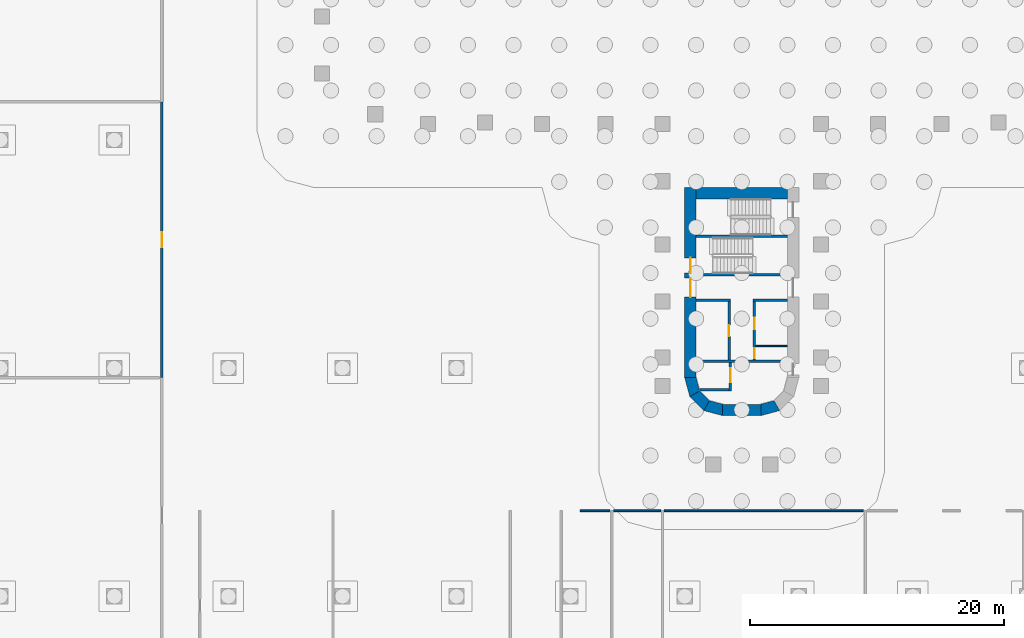
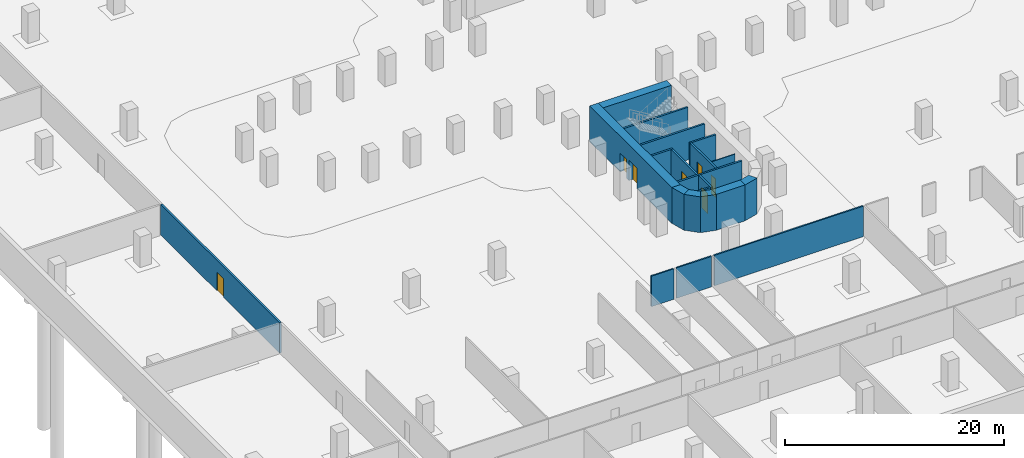
# One storey, part 7 of 14: 21 walls, 7 doors, 7 openings.
"""IFC4 building model written with IfcOpenShell, lengths in metres."""

from ifc_helpers import new_model, si_unit, direction, frame, frame_2d, origin, place, context, subcontext, project, spatial, polyline, rectangle, outline, extrude, material, layer, layer_set, type_object, element, fill, save


model = new_model("IFC4")

# Units and contexts
model_context = context("Model", 3, precision=1e-05, world=origin(), true_north=direction((0.0, 1.0)))
body_context = subcontext(model_context, "Body", "Model", "MODEL_VIEW")
ifc_project = project(units=[si_unit("LENGTHUNIT", "METRE"), si_unit("AREAUNIT", "SQUARE_METRE"), si_unit("VOLUMEUNIT", "CUBIC_METRE"), si_unit("PLANEANGLEUNIT", "RADIAN"), si_unit("MASSUNIT", "GRAM", prefix="KILO")], contexts=[model_context])

# Site, building, storey
site_placement = place(None, origin())
site = spatial("IfcSite", under=ifc_project, at=site_placement, CompositionType="ELEMENT")
building_placement = place(site_placement, origin())
building = spatial("IfcBuilding", under=site, at=building_placement, Name="Zarbagh Exchange Tower", CompositionType="ELEMENT")
storey_placement = place(building_placement, frame((0.0, 0.0, -8.0)))
storey = spatial("IfcBuildingStorey", under=building, at=storey_placement, Name="B2", CompositionType="ELEMENT", Elevation=-8.0)

# Walls
ifc_material_1 = material(Name="Plasterboard partition")
ifc_layer_1 = layer(ifc_material_1, 0.14990234375)
ifc_layer_set_1 = layer_set([ifc_layer_1], Name="Board partition 150")
wall_type_1 = type_object("IfcWallType", Name="Board partition 150", PredefinedType="PARTITIONING", material=ifc_layer_set_1)
wall_1_placement = place(storey_placement, frame((-12.75, -36.75, 0.0), z_axis=(0.0, 0.0, 1.0), x_axis=(1.0, 0.0, 0.0)))
element("IfcWall", 1, at=wall_1_placement, inside=storey, type_object=wall_type_1, Name="WL-B2-W042", PredefinedType="PARTITIONING", context=body_context, shape_type="SweptSolid", body=[
    extrude(rectangle(XDim=2.35009765625, YDim=0.14990234375, at=frame_2d((1.175048828125, 0.0))), origin(), (0.0, 0.0, 1.0), 3.39990234375),
])
wall_2_placement = place(storey_placement, frame((-10.10009765625, -36.75, 0.0), z_axis=(0.0, 0.0, 1.0), x_axis=(1.0, 0.0, 0.0)))
element("IfcWall", 2, at=wall_2_placement, inside=storey, type_object=wall_type_1, Name="WL-B2-W044", PredefinedType="PARTITIONING", context=body_context, shape_type="SweptSolid", body=[
    extrude(rectangle(XDim=3.7001953125, YDim=0.14990234375, at=frame_2d((1.85009765625, 0.0))), origin(), (0.0, 0.0, 1.0), 3.39990234375),
])
wall_3_placement = place(storey_placement, frame((-6.10009765625, -36.75, 0.0), z_axis=(0.0, 0.0, 1.0), x_axis=(1.0, 0.0, 0.0)))
element("IfcWall", 3, at=wall_3_placement, inside=storey, type_object=wall_type_1, Name="WL-B2-W046", PredefinedType="PARTITIONING", context=body_context, shape_type="SweptSolid", body=[
    extrude(rectangle(XDim=15.7001953125, YDim=0.14990234375, at=frame_2d((7.85009765625, 0.0))), origin(), (0.0, 0.0, 1.0), 3.39990234375),
])
ifc_material_2 = material(Name="Dense blockwork", Category="masonry")
ifc_layer_2 = layer(ifc_material_2, 0.10009765625)
ifc_layer_set_2 = layer_set([ifc_layer_2], Name="Core partition 100 mm blockwork")
wall_type_2 = type_object("IfcWallType", Name="Core partition 100 mm blockwork", PredefinedType="PARTITIONING", material=ifc_layer_set_2)
wall_4_placement = place(storey_placement, frame((3.60009765625, -23.75, 0.0), z_axis=(0.0, 0.0, 1.0), x_axis=(-1.0, 0.0, 0.0)))
element("IfcWall", 4, at=wall_4_placement, inside=storey, type_object=wall_type_2, Name="South core partition wall CUT-W-460", PredefinedType="PARTITIONING", context=body_context, shape_type="SweptSolid", body=[
    extrude(rectangle(XDim=2.5, YDim=0.10009765625, at=frame_2d((1.25, 0.0))), origin(), (0.0, 0.0, 1.0), 3.39990234375),
])

# Wall, opening, door
ifc_material_3 = material(Name="Concrete block partition", Category="concrete")
ifc_layer_3 = layer(ifc_material_3, 0.199951171875)
ifc_layer_set_3 = layer_set([ifc_layer_3], Name="Fire-rated block partition 200 EI 120")
wall_type_3 = type_object("IfcWallType", Name="Fire-rated block partition 200 EI 120", PredefinedType="PARTITIONING", material=ifc_layer_set_3)
wall_5_placement = place(storey_placement, frame((-45.75, -26.25, 0.0), z_axis=(0.0, 0.0, 1.0), x_axis=(0.0, 1.0, 0.0)))
wall_5 = element("IfcWall", 5, at=wall_5_placement, inside=storey, type_object=wall_type_3, Name="WL-B2-W003", PredefinedType="PARTITIONING", context=body_context, shape_type="SweptSolid", body=[
    extrude(rectangle(XDim=21.75, YDim=0.199951171875, at=frame_2d((10.875, 0.0))), origin(), (0.0, 0.0, 1.0), 3.39990234375),
])
opening_1_placement = place(wall_5_placement, frame((10.27490234375, 0.0, 0.0)))
opening_1 = element("IfcOpeningElement", 6, at=opening_1_placement, cuts=wall_5, Name="Opening D35", PredefinedType="OPENING", context=body_context, shape_type="SweptSolid", body=[
    extrude(rectangle(XDim=1.199951171875, YDim=2.10009765625, at=frame_2d((0.60009765625, 1.050048828125))), frame((0.0, 0.10986328125, 0.0), z_axis=(0.0, -1.0, 0.0), x_axis=(1.0, 0.0, 0.0)), (0.0, 0.0, 1.0), 0.219970703125),
])
ifc_material_4 = material(Name="Steel door set", Category="steel")
door_type_1 = type_object("IfcDoorType", Name="Door single 1200x2100 EI 120", OperationType="SINGLE_SWING_LEFT", PredefinedType="DOOR", material=ifc_material_4)
door_1_placement = place(opening_1_placement, origin())
door_1 = element("IfcDoor", 7, at=door_1_placement, inside=storey, type_object=door_type_1, Name="D03", OperationType="SINGLE_SWING_LEFT", OverallHeight=2.10009765625, OverallWidth=1.199951171875, PredefinedType="DOOR", context=body_context, shape_type="SweptSolid", body=[
    extrude(rectangle(XDim=1.199951171875, YDim=2.10009765625, at=frame_2d((0.60009765625, 1.050048828125))), frame((0.0, 0.02490234375, 0.0), z_axis=(0.0, -1.0, 0.0), x_axis=(1.0, 0.0, 0.0)), (0.0, 0.0, 1.0), 0.050048828125),
])
fill(opening_1, door_1)

# Walls
ifc_material_5 = material(Name="Concrete C60/75", Category="concrete")
ifc_layer_4 = layer(ifc_material_5, 0.89990234375)
ifc_layer_set_4 = layer_set([ifc_layer_4], Name="RC core corner wall 900 C60/75")
wall_type_4 = type_object("IfcWallType", Name="RC core corner wall 900 C60/75", PredefinedType="SHEAR", material=ifc_layer_set_4)
wall_6_placement = place(storey_placement, origin())
element("IfcWall", 8, at=wall_6_placement, inside=storey, type_object=wall_type_4, Name="CW2 core S corner W", PredefinedType="SHEAR", context=body_context, shape_type="SweptSolid", body=[
    extrude(outline(polyline([(-4.5, -26.25), (-4.09814453125, -27.75), (-3.318603515625, -27.300048828125), (-3.60009765625, -26.25), (-4.5, -26.25)])), origin(), (0.0, 0.0, 1.0), 4.0),
])
wall_7_placement = place(storey_placement, origin())
element("IfcWall", 9, at=wall_7_placement, inside=storey, type_object=wall_type_4, Name="CW2 core S corner W", PredefinedType="SHEAR", context=body_context, shape_type="SweptSolid", body=[
    extrude(outline(polyline([(-4.09814453125, -27.75), (-3.0, -28.84814453125), (-2.550048828125, -28.068603515625), (-3.318603515625, -27.300048828125), (-4.09814453125, -27.75)])), origin(), (0.0, 0.0, 1.0), 4.0),
])
wall_8_placement = place(storey_placement, origin())
element("IfcWall", 10, at=wall_8_placement, inside=storey, type_object=wall_type_4, Name="CW2 core S corner W", PredefinedType="SHEAR", context=body_context, shape_type="SweptSolid", body=[
    extrude(outline(polyline([(-3.0, -28.84814453125), (-1.5, -29.25), (-1.5, -28.35009765625), (-2.550048828125, -28.068603515625), (-3.0, -28.84814453125)])), origin(), (0.0, 0.0, 1.0), 4.0),
])
wall_9_placement = place(storey_placement, origin())
element("IfcWall", 11, at=wall_9_placement, inside=storey, type_object=wall_type_4, Name="CW2 core S corner E", PredefinedType="SHEAR", context=body_context, shape_type="SweptSolid", body=[
    extrude(outline(polyline([(3.0, -28.84814453125), (1.5, -29.25), (1.5, -28.35009765625), (2.550048828125, -28.068603515625), (3.0, -28.84814453125)])), origin(), (0.0, 0.0, 1.0), 4.0),
])

# Wall, openings, doors
ifc_layer_5 = layer(ifc_material_5, 0.89990234375)
ifc_layer_set_5 = layer_set([ifc_layer_5], Name="RC core wall 900 C60/75")
wall_type_5 = type_object("IfcWallType", Name="RC core wall 900 C60/75", PredefinedType="SHEAR", material=ifc_layer_set_5)
wall_10_placement = place(storey_placement, frame((-4.050048828125, -11.25, 0.0), z_axis=(0.0, 0.0, 1.0), x_axis=(0.0, -1.0, 0.0)))
wall_10 = element("IfcWall", 12, at=wall_10_placement, inside=storey, type_object=wall_type_5, Name="CW1 core S W", PredefinedType="SHEAR", context=body_context, shape_type="SweptSolid", body=[
    extrude(rectangle(XDim=15.0, YDim=0.89990234375, at=frame_2d((7.5, 0.0))), origin(), (0.0, 0.0, 1.0), 4.0),
])
opening_2_placement = place(wall_10_placement, frame((7.14990234375, 0.0, 0.0)))
opening_2 = element("IfcOpeningElement", 13, at=opening_2_placement, cuts=wall_10, Name="Opening CD1-1500", PredefinedType="OPENING", context=body_context, shape_type="SweptSolid", body=[
    extrude(rectangle(XDim=1.5, YDim=2.300048828125, at=frame_2d((0.75, 1.14990234375))), frame((0.0, 0.4599609375, 0.0), z_axis=(0.0, -1.0, 0.0), x_axis=(1.0, 0.0, 0.0)), (0.0, 0.0, 1.0), 0.919921875),
])
opening_3_placement = place(wall_10_placement, frame((5.550048828125, 0.0, 0.0)))
opening_3 = element("IfcOpeningElement", 14, at=opening_3_placement, cuts=wall_10, Name="Opening SD1-1200", PredefinedType="OPENING", context=body_context, shape_type="SweptSolid", body=[
    extrude(rectangle(XDim=1.199951171875, YDim=2.10009765625, at=frame_2d((0.60009765625, 1.050048828125))), frame((0.0, 0.4599609375, 0.0), z_axis=(0.0, -1.0, 0.0), x_axis=(1.0, 0.0, 0.0)), (0.0, 0.0, 1.0), 0.919921875),
])
ifc_material_6 = material(Name="Steel", Category="steel")
door_type_2 = type_object("IfcDoorType", Name="Exit stair door 1200 x 2100", OperationType="NOTDEFINED", PredefinedType="DOOR", material=ifc_material_6)
door_2_placement = place(opening_3_placement, origin())
door_2 = element("IfcDoor", 15, at=door_2_placement, inside=storey, type_object=door_type_2, Name="South core stair door ST1", OperationType="SINGLE_SWING_RIGHT", OverallHeight=2.10009765625, OverallWidth=1.199951171875, PredefinedType="DOOR", context=body_context, shape_type="SweptSolid", body=[
    extrude(rectangle(XDim=1.199951171875, YDim=2.10009765625, at=frame_2d((0.60009765625, 1.050048828125))), frame((0.0, 0.02490234375, 0.0), z_axis=(0.0, -1.0, 0.0), x_axis=(1.0, 0.0, 0.0)), (0.0, 0.0, 1.0), 0.050048828125),
])
fill(opening_3, door_2)
door_type_3 = type_object("IfcDoorType", Name="Lift lobby double door 1500 x 2300", OperationType="NOTDEFINED", PredefinedType="DOOR", material=ifc_material_6)
door_3_placement = place(opening_2_placement, origin())
door_3 = element("IfcDoor", 16, at=door_3_placement, inside=storey, type_object=door_type_3, Name="South core lift lobby door LOBBY-E", OperationType="DOUBLE_DOOR_SINGLE_SWING", OverallHeight=2.300048828125, OverallWidth=1.5, PredefinedType="DOOR", context=body_context, shape_type="SweptSolid", body=[
    extrude(rectangle(XDim=1.5, YDim=2.300048828125, at=frame_2d((0.75, 1.14990234375))), frame((0.0, 0.02490234375, 0.0), z_axis=(0.0, -1.0, 0.0), x_axis=(1.0, 0.0, 0.0)), (0.0, 0.0, 1.0), 0.050048828125),
])
fill(opening_2, door_3)

# Walls
wall_11_placement = place(storey_placement, frame((-3.60009765625, -11.699951171875, 0.0), z_axis=(0.0, 0.0, 1.0), x_axis=(1.0, 0.0, 0.0)))
element("IfcWall", 17, at=wall_11_placement, inside=storey, type_object=wall_type_5, Name="CW1 core S inner end", PredefinedType="SHEAR", context=body_context, shape_type="SweptSolid", body=[
    extrude(rectangle(XDim=7.2001953125, YDim=0.89990234375, at=frame_2d((3.60009765625, 0.0))), origin(), (0.0, 0.0, 1.0), 4.0),
])
wall_12_placement = place(storey_placement, frame((-1.5, -28.800048828125, 0.0), z_axis=(0.0, 0.0, 1.0), x_axis=(1.0, 0.0, 0.0)))
element("IfcWall", 18, at=wall_12_placement, inside=storey, type_object=wall_type_5, Name="CW1 core S outer end", PredefinedType="SHEAR", context=body_context, shape_type="SweptSolid", body=[
    extrude(rectangle(XDim=3.0, YDim=0.89990234375, at=frame_2d((1.5, 0.0))), origin(), (0.0, 0.0, 1.0), 4.0),
])
ifc_layer_6 = layer(ifc_material_2, 0.199951171875)
ifc_layer_set_6 = layer_set([ifc_layer_6], Name="Shaft wall 200 mm blockwork")
wall_type_6 = type_object("IfcWallType", Name="Shaft wall 200 mm blockwork", PredefinedType="PARTITIONING", material=ifc_layer_set_6)
wall_13_placement = place(storey_placement, frame((3.60009765625, -20.14990234375, 0.0), z_axis=(0.0, 0.0, 1.0), x_axis=(-1.0, 0.0, 0.0)))
element("IfcWall", 19, at=wall_13_placement, inside=storey, type_object=wall_type_6, Name="South core shaft wall AB-W", PredefinedType="PARTITIONING", context=body_context, shape_type="SweptSolid", body=[
    extrude(rectangle(XDim=2.7001953125, YDim=0.199951171875, at=frame_2d((1.35009765625, 0.0))), origin(), (0.0, 0.0, 1.0), 3.39990234375),
])

# Wall, openings, doors
wall_14_placement = place(storey_placement, frame((1.0, -24.85009765625, 0.0), z_axis=(0.0, 0.0, 1.0), x_axis=(0.0, 1.0, 0.0)))
wall_14 = element("IfcWall", 20, at=wall_14_placement, inside=storey, type_object=wall_type_6, Name="South core shaft wall LW-W", PredefinedType="PARTITIONING", context=body_context, shape_type="SweptSolid", body=[
    extrude(rectangle(XDim=4.60009765625, YDim=0.199951171875, at=frame_2d((2.300048828125, 0.0))), origin(), (0.0, 0.0, 1.0), 3.39990234375),
])
opening_4_placement = place(wall_14_placement, frame((0.125, 0.0, 0.0)))
opening_4 = element("IfcOpeningElement", 21, at=opening_4_placement, cuts=wall_14, Name="Opening CD3-800", PredefinedType="OPENING", context=body_context, shape_type="SweptSolid", body=[
    extrude(rectangle(XDim=0.800048828125, YDim=2.10009765625, at=frame_2d((0.39990234375, 1.050048828125))), frame((0.0, 0.10986328125, 0.0), z_axis=(0.0, -1.0, 0.0), x_axis=(1.0, 0.0, 0.0)), (0.0, 0.0, 1.0), 0.219970703125),
])
opening_5_placement = place(wall_14_placement, frame((2.425048828125, 0.0, 0.0)))
opening_5 = element("IfcOpeningElement", 22, at=opening_5_placement, cuts=wall_14, Name="Opening CD3-900", PredefinedType="OPENING", context=body_context, shape_type="SweptSolid", body=[
    extrude(rectangle(XDim=0.89990234375, YDim=2.10009765625, at=frame_2d((0.449951171875, 1.050048828125))), frame((0.0, 0.10986328125, 0.0), z_axis=(0.0, -1.0, 0.0), x_axis=(1.0, 0.0, 0.0)), (0.0, 0.0, 1.0), 0.219970703125),
])
door_type_4 = type_object("IfcDoorType", Name="Core room door 800 x 2100", OperationType="NOTDEFINED", PredefinedType="DOOR", material=ifc_material_6)
door_4_placement = place(opening_4_placement, origin())
door_4 = element("IfcDoor", 23, at=door_4_placement, inside=storey, type_object=door_type_4, Name="South core Pump room door RD-W-0", OperationType="SINGLE_SWING_LEFT", OverallHeight=2.10009765625, OverallWidth=0.800048828125, PredefinedType="DOOR", context=body_context, shape_type="SweptSolid", body=[
    extrude(rectangle(XDim=0.800048828125, YDim=2.10009765625, at=frame_2d((0.39990234375, 1.050048828125))), frame((0.0, 0.02490234375, 0.0), z_axis=(0.0, -1.0, 0.0), x_axis=(1.0, 0.0, 0.0)), (0.0, 0.0, 1.0), 0.050048828125),
])
fill(opening_4, door_4)
door_type_5 = type_object("IfcDoorType", Name="Core room door 900 x 2100", OperationType="NOTDEFINED", PredefinedType="DOOR", material=ifc_material_6)
door_5_placement = place(opening_5_placement, origin())
door_5 = element("IfcDoor", 24, at=door_5_placement, inside=storey, type_object=door_type_5, Name="South core Store door RD-W-1", OperationType="SINGLE_SWING_LEFT", OverallHeight=2.10009765625, OverallWidth=0.89990234375, PredefinedType="DOOR", context=body_context, shape_type="SweptSolid", body=[
    extrude(rectangle(XDim=0.89990234375, YDim=2.10009765625, at=frame_2d((0.449951171875, 1.050048828125))), frame((0.0, 0.02490234375, 0.0), z_axis=(0.0, -1.0, 0.0), x_axis=(1.0, 0.0, 0.0)), (0.0, 0.0, 1.0), 0.050048828125),
])
fill(opening_5, door_5)

# Wall
wall_15_placement = place(storey_placement, frame((-0.89990234375, -20.14990234375, 0.0), z_axis=(0.0, 0.0, 1.0), x_axis=(-1.0, 0.0, 0.0)))
element("IfcWall", 25, at=wall_15_placement, inside=storey, type_object=wall_type_6, Name="South core shaft wall AB-E", PredefinedType="PARTITIONING", context=body_context, shape_type="SweptSolid", body=[
    extrude(rectangle(XDim=2.7001953125, YDim=0.199951171875, at=frame_2d((1.35009765625, 0.0))), origin(), (0.0, 0.0, 1.0), 3.39990234375),
])

# Wall, opening, door
wall_16_placement = place(storey_placement, frame((-1.0, -24.85009765625, 0.0), z_axis=(0.0, 0.0, 1.0), x_axis=(0.0, 1.0, 0.0)))
wall_16 = element("IfcWall", 26, at=wall_16_placement, inside=storey, type_object=wall_type_6, Name="South core shaft wall LW-E", PredefinedType="PARTITIONING", context=body_context, shape_type="SweptSolid", body=[
    extrude(rectangle(XDim=4.60009765625, YDim=0.199951171875, at=frame_2d((2.300048828125, 0.0))), origin(), (0.0, 0.0, 1.0), 3.39990234375),
])
opening_6_placement = place(wall_16_placement, frame((1.85009765625, 0.0, 0.0)))
opening_6 = element("IfcOpeningElement", 27, at=opening_6_placement, cuts=wall_16, Name="Opening CD3-900", PredefinedType="OPENING", context=body_context, shape_type="SweptSolid", body=[
    extrude(rectangle(XDim=0.89990234375, YDim=2.10009765625, at=frame_2d((0.449951171875, 1.050048828125))), frame((0.0, 0.10986328125, 0.0), z_axis=(0.0, -1.0, 0.0), x_axis=(1.0, 0.0, 0.0)), (0.0, 0.0, 1.0), 0.219970703125),
])
door_6_placement = place(opening_6_placement, origin())
door_6 = element("IfcDoor", 28, at=door_6_placement, inside=storey, type_object=door_type_5, Name="South core Tank room door RD-E-0", OperationType="SINGLE_SWING_LEFT", OverallHeight=2.10009765625, OverallWidth=0.89990234375, PredefinedType="DOOR", context=body_context, shape_type="SweptSolid", body=[
    extrude(rectangle(XDim=0.89990234375, YDim=2.10009765625, at=frame_2d((0.449951171875, 1.050048828125))), frame((0.0, 0.02490234375, 0.0), z_axis=(0.0, -1.0, 0.0), x_axis=(1.0, 0.0, 0.0)), (0.0, 0.0, 1.0), 0.050048828125),
])
fill(opening_6, door_6)

# Wall
ifc_material_7 = material(Name="Concrete C40/50", Category="concrete")
ifc_layer_7 = layer(ifc_material_7, 0.199951171875)
ifc_layer_set_7 = layer_set([ifc_layer_7], Name="Stair enclosure wall 200 mm RC C40/50")
wall_type_7 = type_object("IfcWallType", Name="Stair enclosure wall 200 mm RC C40/50", PredefinedType="SHEAR", material=ifc_layer_set_7)
wall_17_placement = place(storey_placement, frame((3.60009765625, -24.949951171875, 0.0), z_axis=(0.0, 0.0, 1.0), x_axis=(-1.0, 0.0, 0.0)))
element("IfcWall", 29, at=wall_17_placement, inside=storey, type_object=wall_type_7, Name="South core lift shaft wall FFA", PredefinedType="SHEAR", context=body_context, shape_type="SweptSolid", body=[
    extrude(rectangle(XDim=7.2001953125, YDim=0.199951171875, at=frame_2d((3.60009765625, 0.0))), origin(), (0.0, 0.0, 1.0), 3.39990234375),
])

# Wall, opening, door
wall_18_placement = place(storey_placement, frame((-0.89990234375, -27.300048828125, 0.0), z_axis=(0.0, 0.0, 1.0), x_axis=(0.0, 1.0, 0.0)))
wall_18 = element("IfcWall", 30, at=wall_18_placement, inside=storey, type_object=wall_type_7, Name="South core lift shaft wall FFL", PredefinedType="SHEAR", context=body_context, shape_type="SweptSolid", body=[
    extrude(rectangle(XDim=2.25, YDim=0.199951171875, at=frame_2d((1.125, 0.0))), origin(), (0.0, 0.0, 1.0), 3.39990234375),
])
opening_7_placement = place(wall_18_placement, frame((0.699951171875, 0.0, 0.0)))
opening_7 = element("IfcOpeningElement", 31, at=opening_7_placement, cuts=wall_18, Name="Opening LD-1100", PredefinedType="OPENING", context=body_context, shape_type="SweptSolid", body=[
    extrude(rectangle(XDim=1.10009765625, YDim=2.300048828125, at=frame_2d((0.550048828125, 1.14990234375))), frame((0.0, 0.10986328125, 0.0), z_axis=(0.0, -1.0, 0.0), x_axis=(1.0, 0.0, 0.0)), (0.0, 0.0, 1.0), 0.219970703125),
])
ifc_material_8 = material(Name="Stainless steel", Category="steel")
door_type_6 = type_object("IfcDoorType", Name="Lift landing door 1100 x 2300", OperationType="NOTDEFINED", PredefinedType="DOOR", material=ifc_material_8)
door_7_placement = place(opening_7_placement, origin())
door_7 = element("IfcDoor", 32, at=door_7_placement, inside=storey, type_object=door_type_6, Name="South core lift landing door LD-F", OperationType="DOUBLE_DOOR_SLIDING", OverallHeight=2.300048828125, OverallWidth=1.10009765625, PredefinedType="DOOR", context=body_context, shape_type="SweptSolid", body=[
    extrude(rectangle(XDim=1.10009765625, YDim=2.300048828125, at=frame_2d((0.550048828125, 1.14990234375))), frame((0.0, 0.02490234375, 0.0), z_axis=(0.0, -1.0, 0.0), x_axis=(1.0, 0.0, 0.0)), (0.0, 0.0, 1.0), 0.050048828125),
])
fill(opening_7, door_7)

# Walls
wall_19_placement = place(storey_placement, origin())
element("IfcWall", 33, at=wall_19_placement, inside=storey, type_object=wall_type_7, Name="South core lift shaft wall FFX", PredefinedType="SHEAR", context=body_context, shape_type="SweptSolid", body=[
    extrude(outline(polyline([(-1.0, -27.10009765625), (-3.340576171875, -27.10009765625), (-3.291259765625, -27.2841796875), (-3.275390625, -27.300048828125), (-1.0, -27.300048828125), (-1.0, -27.10009765625)])), origin(), (0.0, 0.0, 1.0), 3.39990234375),
])
for number, where, z_axis, x_axis, name in (
    (34, (3.60009765625, -18.14990234375, 0.0), (0.0, 0.0, 1.0), (-1.0, 0.0, 0.0), "South core stair wall BS"),
    (35, (3.60009765625, -15.10009765625, 0.0), (0.0, 0.0, 1.0), (-1.0, 0.0, 0.0), "South core stair wall ST12"),
):
    element("IfcWall", number, at=place(storey_placement, frame(where, z_axis=z_axis, x_axis=x_axis)), inside=storey, type_object=wall_type_7, Name=name, PredefinedType="SHEAR", context=body_context, shape_type="SweptSolid", body=[
        extrude(rectangle(XDim=7.2001953125, YDim=0.199951171875, at=frame_2d((3.60009765625, 0.0))), origin(), (0.0, 0.0, 1.0), 3.39990234375),
    ])

save(model, "model.ifc")
